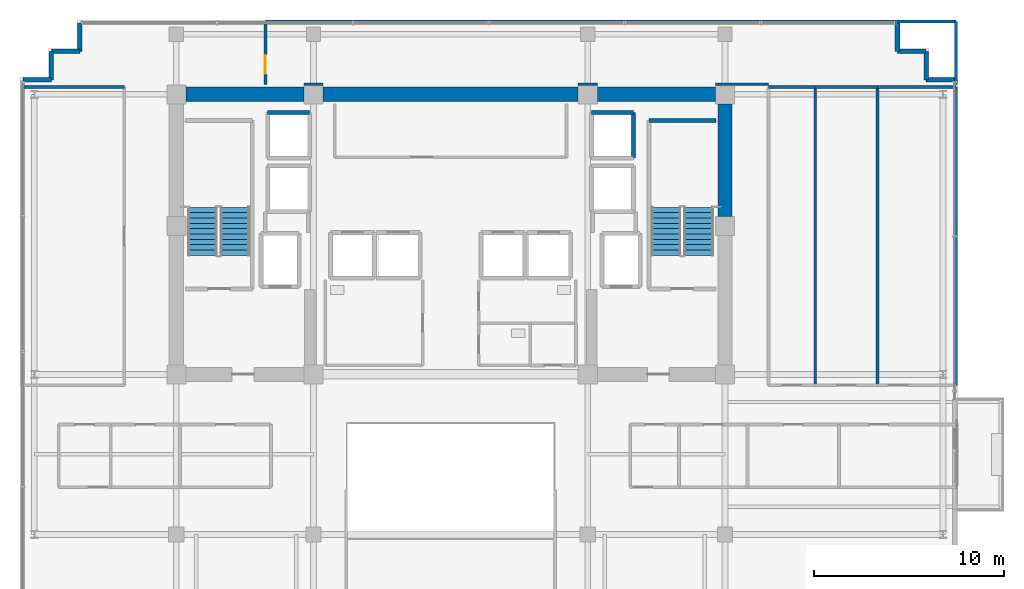
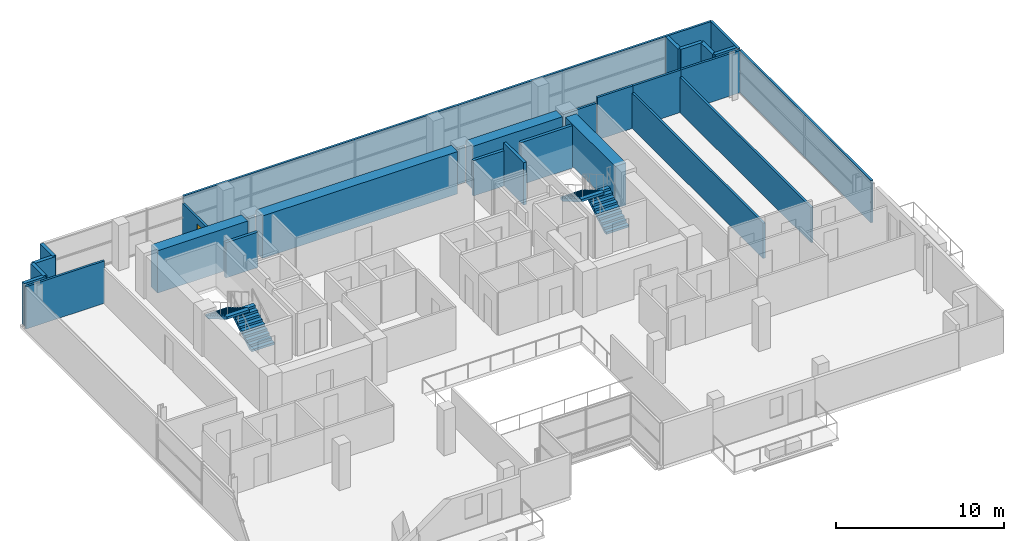
# One storey, part 18 of 21: 29 walls, 4 stair flights, 1 door, 1 opening, 2 elements without a shape of their own.
"""IFC4 building model written with IfcOpenShell, lengths in metres."""

from ifc_helpers import new_model, si_unit, direction, frame, frame_2d, origin, place, context, subcontext, project, spatial, polyline, rectangle, outline, extrude, source, transform, mapped, material, layer, layer_set, type_object, element, fill, aggregate, save


model = new_model("IFC4")

# Units and contexts
model_context = context("Model", 3, precision=1e-05, world=origin(), true_north=direction((0.0, 1.0)))
body_context = subcontext(model_context, "Body", "Model", "MODEL_VIEW")
ifc_project = project(units=[si_unit("LENGTHUNIT", "METRE"), si_unit("AREAUNIT", "SQUARE_METRE"), si_unit("VOLUMEUNIT", "CUBIC_METRE"), si_unit("PLANEANGLEUNIT", "RADIAN"), si_unit("MASSUNIT", "GRAM", prefix="KILO")], contexts=[model_context])

# Site, building, storey
site_placement = place(None, origin())
site = spatial("IfcSite", under=ifc_project, at=site_placement, CompositionType="ELEMENT")
building_placement = place(site_placement, origin())
building = spatial("IfcBuilding", under=site, at=building_placement, Name="Zarnakvel Exchange Tower", CompositionType="ELEMENT")
storey_placement = place(building_placement, frame((0.0, 0.0, 182.5)))
storey = spatial("IfcBuildingStorey", under=building, at=storey_placement, Name="L51", CompositionType="ELEMENT", Elevation=182.5)

# Walls
ifc_material_1 = material(Name="Concrete C60/75", Category="concrete")
ifc_layer_1 = layer(ifc_material_1, 0.75)
ifc_layer_set_1 = layer_set([ifc_layer_1], Name="Concrete C60/75")
wall_type_1 = type_object("IfcWallType", Name="CW-C3", PredefinedType="SHEAR", material=ifc_layer_set_1)
wall_1_placement = place(storey_placement, frame((-13.89990234375, 13.5, 0.0), z_axis=(0.0, 0.0, 1.0), x_axis=(1.0, 0.0, 0.0)))
element("IfcWall", 1, at=wall_1_placement, inside=storey, type_object=wall_type_1, Name="L51 Rear Core Shear Wall N1 (CW-C3)", PredefinedType="SHEAR", context=body_context, shape_type="SweptSolid", body=[
    extrude(rectangle(XDim=6.199951171875, YDim=0.75, at=frame_2d((3.10009765625, 0.0))), origin(), (0.0, 0.0, 1.0), 3.074951171875),
])
wall_2_placement = place(storey_placement, frame((-6.699951171875, 13.5, 0.0), z_axis=(0.0, 0.0, 1.0), x_axis=(1.0, 0.0, 0.0)))
element("IfcWall", 2, at=wall_2_placement, inside=storey, type_object=wall_type_1, Name="L51 Rear Core Shear Wall N2 (CW-C3)", PredefinedType="SHEAR", context=body_context, shape_type="SweptSolid", body=[
    extrude(rectangle(XDim=13.39990234375, YDim=0.75, at=frame_2d((6.699951171875, 0.0))), origin(), (0.0, 0.0, 1.0), 3.074951171875),
])
wall_3_placement = place(storey_placement, frame((7.699951171875, 13.5, 0.0), z_axis=(0.0, 0.0, 1.0), x_axis=(1.0, 0.0, 0.0)))
element("IfcWall", 3, at=wall_3_placement, inside=storey, type_object=wall_type_1, Name="L51 Rear Core Shear Wall N3 (CW-C3)", PredefinedType="SHEAR", context=body_context, shape_type="SweptSolid", body=[
    extrude(rectangle(XDim=6.199951171875, YDim=0.75, at=frame_2d((3.10009765625, 0.0))), origin(), (0.0, 0.0, 1.0), 3.074951171875),
])
wall_4_placement = place(storey_placement, frame((14.39990234375, 7.10009765625, 0.0), z_axis=(0.0, 0.0, 1.0), x_axis=(0.0, 1.0, 0.0)))
element("IfcWall", 4, at=wall_4_placement, inside=storey, type_object=wall_type_1, Name="L51 Rear Core Shear Wall E2 (CW-C3)", PredefinedType="SHEAR", context=body_context, shape_type="SweptSolid", body=[
    extrude(rectangle(XDim=5.89990234375, YDim=0.75, at=frame_2d((2.949951171875, 0.0))), origin(), (0.0, 0.0, 1.0), 3.074951171875),
])
ifc_material_2 = material(Name="Precast concrete C40/50", Category="concrete")
ifc_layer_2 = layer(ifc_material_2, 0.239990234375)
ifc_layer_set_2 = layer_set([ifc_layer_2], Name="Precast concrete C40/50")
wall_type_2 = type_object("IfcWallType", Name="EW-02", PredefinedType="SOLIDWALL", material=ifc_layer_set_2)
for number, where, z_axis, x_axis, name in (
    (5, (-20.9599609375, 14.260009765625, 0.0), (0.0, 0.0, 1.0), (-1.0, 0.0, 0.0), "L51 Exterior Precast Spandrel Wall EWC-L51-01 (EW-02)"),
    (6, (-20.9599609375, 15.760009765625, 0.0), (0.0, 0.0, 1.0), (0.0, -1.0, 0.0), "L51 Exterior Precast Spandrel Wall EWC-L51-02 (EW-02)"),
    (7, (-19.4599609375, 15.760009765625, 0.0), (0.0, 0.0, 1.0), (-1.0, 0.0, 0.0), "L51 Exterior Precast Spandrel Wall EWC-L51-03 (EW-02)"),
    (8, (-19.4599609375, 17.260009765625, 0.0), (0.0, 0.0, 1.0), (0.0, -1.0, 0.0), "L51 Exterior Precast Spandrel Wall EWC-L51-04 (EW-02)"),
    (9, (23.4599609375, 15.760009765625, 0.0), (0.0, 0.0, 1.0), (0.0, 1.0, 0.0), "L51 Exterior Precast Spandrel Wall EWC-L51-05 (EW-02)"),
    (10, (24.9599609375, 15.760009765625, 0.0), (0.0, 0.0, 1.0), (-1.0, 0.0, 0.0), "L51 Exterior Precast Spandrel Wall EWC-L51-06 (EW-02)"),
    (11, (24.9599609375, 14.260009765625, 0.0), (0.0, 0.0, 1.0), (0.0, 1.0, 0.0), "L51 Exterior Precast Spandrel Wall EWC-L51-07 (EW-02)"),
    (12, (26.4599609375, 14.260009765625, 0.0), (0.0, 0.0, 1.0), (-1.0, 0.0, 0.0), "L51 Exterior Precast Spandrel Wall EWC-L51-08 (EW-02)"),
):
    element("IfcWall", number, at=place(storey_placement, frame(where, z_axis=z_axis, x_axis=x_axis)), inside=storey, type_object=wall_type_2, Name=name, PredefinedType="SOLIDWALL", context=body_context, shape_type="SweptSolid", body=[
        extrude(rectangle(XDim=1.5, YDim=0.239990234375, at=frame_2d((0.75, 0.0))), origin(), (0.0, 0.0, 1.0), 3.074951171875),
    ])
ifc_material_3 = material(Name="Fire-Rated Gypsum Stud Partition", Category="gypsum")
ifc_layer_3 = layer(ifc_material_3, 0.14990234375)
ifc_layer_set_3 = layer_set([ifc_layer_3], Name="Fire-Rated Gypsum Stud Partition")
wall_type_3 = type_object("IfcWallType", Name="PT-01", PredefinedType="PARTITIONING", material=ifc_layer_set_3)
wall_5_placement = place(storey_placement, frame((-22.530029296875, 13.8798828125, 0.0), z_axis=(0.0, 0.0, 1.0), x_axis=(1.0, 0.0, 0.0)))
element("IfcWall", 13, at=wall_5_placement, inside=storey, type_object=wall_type_3, Name="L51 Partition Wall PWALL-L51-055 (PT-01)", PredefinedType="PARTITIONING", context=body_context, shape_type="SweptSolid", body=[
    extrude(rectangle(XDim=5.400146484375, YDim=0.14990234375, at=frame_2d((2.7001953125, 0.0))), origin(), (0.0, 0.0, 1.0), 3.074951171875),
])
wall_6_placement = place(storey_placement, frame((16.68994140625, 13.8798828125, 0.0), z_axis=(0.0, 0.0, 1.0), x_axis=(1.0, 0.0, 0.0)))
element("IfcWall", 14, at=wall_6_placement, inside=storey, type_object=wall_type_3, Name="L51 Partition Wall PWALL-L51-059 (PT-01)", PredefinedType="PARTITIONING", context=body_context, shape_type="SweptSolid", body=[
    extrude(rectangle(XDim=2.447998046875, YDim=0.14990234375, at=frame_2d((1.22412109375, 0.0))), origin(), (0.0, 0.0, 1.0), 3.074951171875),
])
wall_7_placement = place(storey_placement, frame((19.137939453125, 13.8798828125, 0.0), z_axis=(0.0, 0.0, 1.0), x_axis=(0.0, -1.0, 0.0)))
element("IfcWall", 15, at=wall_7_placement, inside=storey, type_object=wall_type_3, Name="L51 Partition Wall PWALL-L51-061 (PT-01)", PredefinedType="PARTITIONING", context=body_context, shape_type="SweptSolid", body=[
    extrude(rectangle(XDim=15.64990234375, YDim=0.14990234375, at=frame_2d((7.824951171875, 0.0))), origin(), (0.0, 0.0, 1.0), 2.56494140625),
])
wall_8_placement = place(storey_placement, frame((19.137939453125, 13.8798828125, 0.0), z_axis=(0.0, 0.0, 1.0), x_axis=(1.0, 0.0, 0.0)))
element("IfcWall", 16, at=wall_8_placement, inside=storey, type_object=wall_type_3, Name="L51 Partition Wall PWALL-L51-063 (PT-01)", PredefinedType="PARTITIONING", context=body_context, shape_type="SweptSolid", body=[
    extrude(rectangle(XDim=3.280029296875, YDim=0.14990234375, at=frame_2d((1.64013671875, 0.0))), origin(), (0.0, 0.0, 1.0), 3.074951171875),
])
wall_9_placement = place(storey_placement, frame((22.41796875, 13.8798828125, 0.0), z_axis=(0.0, 0.0, 1.0), x_axis=(0.0, -1.0, 0.0)))
element("IfcWall", 17, at=wall_9_placement, inside=storey, type_object=wall_type_3, Name="L51 Partition Wall PWALL-L51-064 (PT-01)", PredefinedType="PARTITIONING", context=body_context, shape_type="SweptSolid", body=[
    extrude(rectangle(XDim=15.64990234375, YDim=0.14990234375, at=frame_2d((7.824951171875, 0.0))), origin(), (0.0, 0.0, 1.0), 2.56494140625),
])
wall_10_placement = place(storey_placement, frame((22.41796875, 13.8798828125, 0.0), z_axis=(0.0, 0.0, 1.0), x_axis=(1.0, 0.0, 0.0)))
element("IfcWall", 18, at=wall_10_placement, inside=storey, type_object=wall_type_3, Name="L51 Partition Wall PWALL-L51-066 (PT-01)", PredefinedType="PARTITIONING", context=body_context, shape_type="SweptSolid", body=[
    extrude(rectangle(XDim=4.112060546875, YDim=0.14990234375, at=frame_2d((2.05615234375, 0.0))), origin(), (0.0, 0.0, 1.0), 3.074951171875),
])
wall_11_placement = place(storey_placement, frame((26.530029296875, 13.8798828125, 0.0), z_axis=(0.0, 0.0, 1.0), x_axis=(0.0, -1.0, 0.0)))
element("IfcWall", 19, at=wall_11_placement, inside=storey, type_object=wall_type_3, Name="L51 Partition Wall PWALL-L51-067 (PT-01)", PredefinedType="PARTITIONING", context=body_context, shape_type="SweptSolid", body=[
    extrude(rectangle(XDim=15.64990234375, YDim=0.14990234375, at=frame_2d((7.824951171875, 0.0))), origin(), (0.0, 0.0, 1.0), 3.074951171875),
])
for number, where, z_axis, x_axis, name in (
    (20, (-6.699951171875, 14.030029296875, 0.0), (0.0, 0.0, 1.0), (-1.0, 0.0, 0.0), "L51 Partition Wall PWALL-L51-068 (PT-01)"),
    (21, (7.699951171875, 14.030029296875, 0.0), (0.0, 0.0, 1.0), (-1.0, 0.0, 0.0), "L51 Partition Wall PWALL-L51-069 (PT-01)"),
):
    element("IfcWall", number, at=place(storey_placement, frame(where, z_axis=z_axis, x_axis=x_axis)), inside=storey, type_object=wall_type_3, Name=name, PredefinedType="PARTITIONING", context=body_context, shape_type="SweptSolid", body=[
        extrude(rectangle(XDim=1.0, YDim=0.14990234375, at=frame_2d((0.5, 0.0))), origin(), (0.0, 0.0, 1.0), 2.56494140625),
    ])
wall_12_placement = place(storey_placement, frame((16.68994140625, 14.030029296875, 0.0), z_axis=(0.0, 0.0, 1.0), x_axis=(-1.0, 0.0, 0.0)))
element("IfcWall", 22, at=wall_12_placement, inside=storey, type_object=wall_type_3, Name="L51 Partition Wall PWALL-L51-070 (PT-01)", PredefinedType="PARTITIONING", context=body_context, shape_type="SweptSolid", body=[
    extrude(rectangle(XDim=2.7900390625, YDim=0.14990234375, at=frame_2d((1.39501953125, 0.0))), origin(), (0.0, 0.0, 1.0), 2.56494140625),
])
wall_13_placement = place(storey_placement, frame((-9.719970703125, 17.330078125, 0.0), z_axis=(0.0, 0.0, 1.0), x_axis=(1.0, 0.0, 0.0)))
element("IfcWall", 23, at=wall_13_placement, inside=storey, type_object=wall_type_3, Name="L51 Partition Wall PWALL-L51-071 (PT-01)", PredefinedType="PARTITIONING", context=body_context, shape_type="SweptSolid", body=[
    extrude(rectangle(XDim=36.25, YDim=0.14990234375, at=frame_2d((18.125, 0.0))), origin(), (0.0, 0.0, 1.0), 3.074951171875),
])

# Wall, opening, door
wall_14_placement = place(storey_placement, frame((-9.719970703125, 14.030029296875, 0.0), z_axis=(0.0, 0.0, 1.0), x_axis=(0.0, 1.0, 0.0)))
wall_14 = element("IfcWall", 24, at=wall_14_placement, inside=storey, type_object=wall_type_3, Name="L51 Partition Wall PWALL-L51-072 (PT-01)", PredefinedType="PARTITIONING", context=body_context, shape_type="SweptSolid", body=[
    extrude(rectangle(XDim=3.300048828125, YDim=0.14990234375, at=frame_2d((1.64990234375, 0.0))), origin(), (0.0, 0.0, 1.0), 2.56494140625),
])
opening_placement = place(wall_14_placement, frame((0.550048828125, 0.0, 0.0)))
opening = element("IfcOpeningElement", 25, at=opening_placement, cuts=wall_14, Name="Opening D-L51-23", PredefinedType="OPENING", context=body_context, shape_type="SweptSolid", body=[
    extrude(rectangle(XDim=0.97998046875, YDim=2.14990234375, at=frame_2d((0.489990234375, 1.074951171875))), frame((0.0, 0.0849609375, 0.0), z_axis=(0.0, -1.0, 0.0), x_axis=(1.0, 0.0, 0.0)), (0.0, 0.0, 1.0), 0.169921875),
])
ifc_material_4 = material(Name="Timber Acoustic Veneer", Category="wood")
door_type = type_object("IfcDoorType", Name="DT-05", OperationType="NOTDEFINED", PredefinedType="DOOR", material=ifc_material_4)
shared_shape = source(origin(), body_context, "Body", "SweptSolid", [
    extrude(rectangle(XDim=0.97998046875, YDim=2.14990234375, at=frame_2d((0.489990234375, 1.074951171875))), frame((0.0, 0.02490234375, 0.0), z_axis=(0.0, -1.0, 0.0), x_axis=(1.0, 0.0, 0.0)), (0.0, 0.0, 1.0), 0.050048828125),
])
door_placement = place(opening_placement, origin())
door = element("IfcDoor", 26, at=door_placement, inside=storey, type_object=door_type, Name="L51 Risk Analytics Suite Door D-L51-23", OperationType="SINGLE_SWING_LEFT", OverallHeight=2.14990234375, OverallWidth=0.97998046875, PredefinedType="DOOR", context=body_context, shape_type="MappedRepresentation", body=[
    mapped(shared_shape, transform((0.0, 0.0, 0.0), x_axis=(1.0, 0.0, 0.0), y_axis=(0.0, 1.0, 0.0), z_axis=(0.0, 0.0, 1.0), scale=1.0)),
])
fill(opening, door)

# Walls
wall_15_placement = place(storey_placement, frame((26.530029296875, 17.330078125, 0.0), z_axis=(0.0, 0.0, 1.0), x_axis=(0.0, -1.0, 0.0)))
element("IfcWall", 27, at=wall_15_placement, inside=storey, type_object=wall_type_3, Name="L51 Partition Wall PWALL-L51-073 (PT-01)", PredefinedType="PARTITIONING", context=body_context, shape_type="SweptSolid", body=[
    extrude(rectangle(XDim=3.300048828125, YDim=0.14990234375, at=frame_2d((1.64990234375, 0.0))), origin(), (0.0, 0.0, 1.0), 3.074951171875),
])
ifc_material_5 = material(Name="Concrete C40/50", Category="concrete")
ifc_layer_4 = layer(ifc_material_5, 0.199951171875)
ifc_layer_set_4 = layer_set([ifc_layer_4], Name="Concrete C40/50")
wall_type_4 = type_object("IfcWallType", Name="SW-01", PredefinedType="SOLIDWALL", material=ifc_layer_set_4)
for number, where, z_axis, x_axis, name in (
    (28, (-9.60009765625, 12.550048828125, 0.0), (0.0, 0.0, 1.0), (1.0, 0.0, 0.0), "L51 PL-10 Hoistway Wall North"),
    (29, (7.39990234375, 12.550048828125, 0.0), (0.0, 0.0, 1.0), (1.0, 0.0, 0.0), "L51 PL-12 Hoistway Wall North"),
):
    element("IfcWall", number, at=place(storey_placement, frame(where, z_axis=z_axis, x_axis=x_axis)), inside=storey, type_object=wall_type_4, Name=name, PredefinedType="SOLIDWALL", context=body_context, shape_type="SweptSolid", body=[
        extrude(rectangle(XDim=2.2001953125, YDim=0.199951171875, at=frame_2d((1.10009765625, 0.0))), origin(), (0.0, 0.0, 1.0), 2.56494140625),
    ])
wall_16_placement = place(storey_placement, frame((9.60009765625, 12.550048828125, 0.0), z_axis=(0.0, 0.0, 1.0), x_axis=(0.0, -1.0, 0.0)))
element("IfcWall", 30, at=wall_16_placement, inside=storey, type_object=wall_type_4, Name="L51 PL-12 Hoistway Wall East", PredefinedType="SOLIDWALL", context=body_context, shape_type="SweptSolid", body=[
    extrude(rectangle(XDim=2.400146484375, YDim=0.199951171875, at=frame_2d((1.2001953125, 0.0))), origin(), (0.0, 0.0, 1.0), 3.074951171875),
])
ifc_layer_5 = layer(ifc_material_5, 0.199951171875)
ifc_layer_set_5 = layer_set([ifc_layer_5], Name="Concrete C40/50")
wall_type_5 = type_object("IfcWallType", Name="SW-02", PredefinedType="SOLIDWALL", material=ifc_layer_set_5)
wall_17_placement = place(storey_placement, frame((10.409912109375, 12.1298828125, 0.0), z_axis=(0.0, 0.0, 1.0), x_axis=(1.0, 0.0, 0.0)))
element("IfcWall", 31, at=wall_17_placement, inside=storey, type_object=wall_type_5, Name="L51 Stairwell Core Wall PWALL-L51-005 (SW-02)", PredefinedType="SOLIDWALL", context=body_context, shape_type="SweptSolid", body=[
    extrude(rectangle(XDim=3.52001953125, YDim=0.199951171875, at=frame_2d((1.760009765625, 0.0))), origin(), (0.0, 0.0, 1.0), 3.074951171875),
])

# Stair, stair flights
stair_type = type_object("IfcStairType", Name="STR-01", PredefinedType="HALF_TURN_STAIR", material=ifc_material_5)
stair_1_placement = place(storey_placement, origin())
stair_1 = element("IfcStair", 32, at=stair_1_placement, inside=storey, type_object=stair_type, Name="L51 Protected Core Exit Stair ST-01", PredefinedType="HALF_TURN_STAIR")
stair_flight_type = type_object("IfcStairFlightType", Name="FLT-01", PredefinedType="STRAIGHT", material=ifc_material_5)
stair_flight_1_placement = place(storey_placement, frame((-11.31494140625, 5.050048828125, 0.0), z_axis=(0.0, 0.0, 1.0), x_axis=(0.0, 1.0, 0.0)))
stair_flight_1 = element("IfcStairFlight", 33, at=stair_flight_1_placement, type_object=stair_flight_type, Name="ST-01 flight 1", NumberOfRisers=10, NumberOfTreads=9, PredefinedType="STRAIGHT", RiserHeight=0.165, TreadLength=0.28, context=body_context, shape_type="SweptSolid", body=[
    extrude(outline(polyline([(0.0, 0.0), (0.0, 0.1650390625), (0.280029296875, 0.1650390625), (0.280029296875, 0.330078125), (0.56005859375, 0.330078125), (0.56005859375, 0.4951171875), (0.840087890625, 0.4951171875), (0.840087890625, 0.659912109375), (1.1201171875, 0.659912109375), (1.1201171875, 0.824951171875), (1.39990234375, 0.824951171875), (1.39990234375, 0.989990234375), (1.679931640625, 0.989990234375), (1.679931640625, 1.155029296875), (1.9599609375, 1.155029296875), (1.9599609375, 1.320068359375), (2.239990234375, 1.320068359375), (2.239990234375, 1.485107421875), (2.52001953125, 1.485107421875), (2.52001953125, 1.64990234375), (2.52001953125, 1.31103515625), (0.295166015625, 0.0), (0.0, 0.0)])), frame((0.0, 0.77490234375, 0.0), z_axis=(0.0, -1.0, 0.0), x_axis=(1.0, 0.0, 0.0)), (0.0, 0.0, 1.0), 1.550048828125),
])
stair_flight_2_placement = place(storey_placement, frame((-13.02490234375, 7.570068359375, 1.64990234375), z_axis=(0.0, 0.0, 1.0), x_axis=(0.0, -1.0, 0.0)))
stair_flight_2 = element("IfcStairFlight", 34, at=stair_flight_2_placement, type_object=stair_flight_type, Name="ST-01 flight 2", NumberOfRisers=10, NumberOfTreads=9, PredefinedType="STRAIGHT", RiserHeight=0.165, TreadLength=0.28, context=body_context, shape_type="SweptSolid", body=[
    extrude(outline(polyline([(0.0, 0.0), (0.0, 0.1650390625), (0.280029296875, 0.1650390625), (0.280029296875, 0.330078125), (0.56005859375, 0.330078125), (0.56005859375, 0.4951171875), (0.840087890625, 0.4951171875), (0.840087890625, 0.659912109375), (1.1201171875, 0.659912109375), (1.1201171875, 0.824951171875), (1.39990234375, 0.824951171875), (1.39990234375, 0.989990234375), (1.679931640625, 0.989990234375), (1.679931640625, 1.155029296875), (1.9599609375, 1.155029296875), (1.9599609375, 1.320068359375), (2.239990234375, 1.320068359375), (2.239990234375, 1.485107421875), (2.52001953125, 1.485107421875), (2.52001953125, 1.64990234375), (2.52001953125, 1.31103515625), (0.295166015625, 0.0), (0.0, 0.0)])), frame((0.0, 0.77490234375, 0.0), z_axis=(0.0, -1.0, 0.0), x_axis=(1.0, 0.0, 0.0)), (0.0, 0.0, 1.0), 1.550048828125),
])
aggregate(stair_1, [stair_flight_1, stair_flight_2])

stair_2_placement = place(storey_placement, origin())
stair_2 = element("IfcStair", 35, at=stair_2_placement, inside=storey, type_object=stair_type, Name="L51 Protected Core Exit Stair ST-02", PredefinedType="HALF_TURN_STAIR")
stair_flight_3_placement = place(storey_placement, frame((13.02490234375, 5.050048828125, 0.0), z_axis=(0.0, 0.0, 1.0), x_axis=(0.0, 1.0, 0.0)))
stair_flight_3 = element("IfcStairFlight", 36, at=stair_flight_3_placement, type_object=stair_flight_type, Name="ST-02 flight 1", NumberOfRisers=10, NumberOfTreads=9, PredefinedType="STRAIGHT", RiserHeight=0.165, TreadLength=0.28, context=body_context, shape_type="SweptSolid", body=[
    extrude(outline(polyline([(0.0, 0.0), (0.0, 0.1650390625), (0.280029296875, 0.1650390625), (0.280029296875, 0.330078125), (0.56005859375, 0.330078125), (0.56005859375, 0.4951171875), (0.840087890625, 0.4951171875), (0.840087890625, 0.659912109375), (1.1201171875, 0.659912109375), (1.1201171875, 0.824951171875), (1.39990234375, 0.824951171875), (1.39990234375, 0.989990234375), (1.679931640625, 0.989990234375), (1.679931640625, 1.155029296875), (1.9599609375, 1.155029296875), (1.9599609375, 1.320068359375), (2.239990234375, 1.320068359375), (2.239990234375, 1.485107421875), (2.52001953125, 1.485107421875), (2.52001953125, 1.64990234375), (2.52001953125, 1.31103515625), (0.295166015625, 0.0), (0.0, 0.0)])), frame((0.0, 0.77490234375, 0.0), z_axis=(0.0, -1.0, 0.0), x_axis=(1.0, 0.0, 0.0)), (0.0, 0.0, 1.0), 1.550048828125),
])
stair_flight_4_placement = place(storey_placement, frame((11.31494140625, 7.570068359375, 1.64990234375), z_axis=(0.0, 0.0, 1.0), x_axis=(0.0, -1.0, 0.0)))
stair_flight_4 = element("IfcStairFlight", 37, at=stair_flight_4_placement, type_object=stair_flight_type, Name="ST-02 flight 2", NumberOfRisers=10, NumberOfTreads=9, PredefinedType="STRAIGHT", RiserHeight=0.165, TreadLength=0.28, context=body_context, shape_type="SweptSolid", body=[
    extrude(outline(polyline([(0.0, 0.0), (0.0, 0.1650390625), (0.280029296875, 0.1650390625), (0.280029296875, 0.330078125), (0.56005859375, 0.330078125), (0.56005859375, 0.4951171875), (0.840087890625, 0.4951171875), (0.840087890625, 0.659912109375), (1.1201171875, 0.659912109375), (1.1201171875, 0.824951171875), (1.39990234375, 0.824951171875), (1.39990234375, 0.989990234375), (1.679931640625, 0.989990234375), (1.679931640625, 1.155029296875), (1.9599609375, 1.155029296875), (1.9599609375, 1.320068359375), (2.239990234375, 1.320068359375), (2.239990234375, 1.485107421875), (2.52001953125, 1.485107421875), (2.52001953125, 1.64990234375), (2.52001953125, 1.31103515625), (0.295166015625, 0.0), (0.0, 0.0)])), frame((0.0, 0.77490234375, 0.0), z_axis=(0.0, -1.0, 0.0), x_axis=(1.0, 0.0, 0.0)), (0.0, 0.0, 1.0), 1.550048828125),
])
aggregate(stair_2, [stair_flight_3, stair_flight_4])

save(model, "model.ifc")
